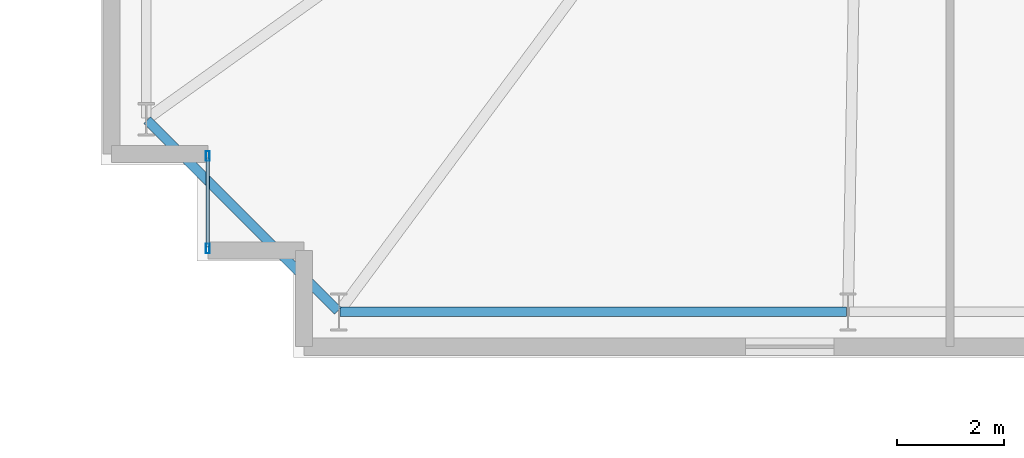
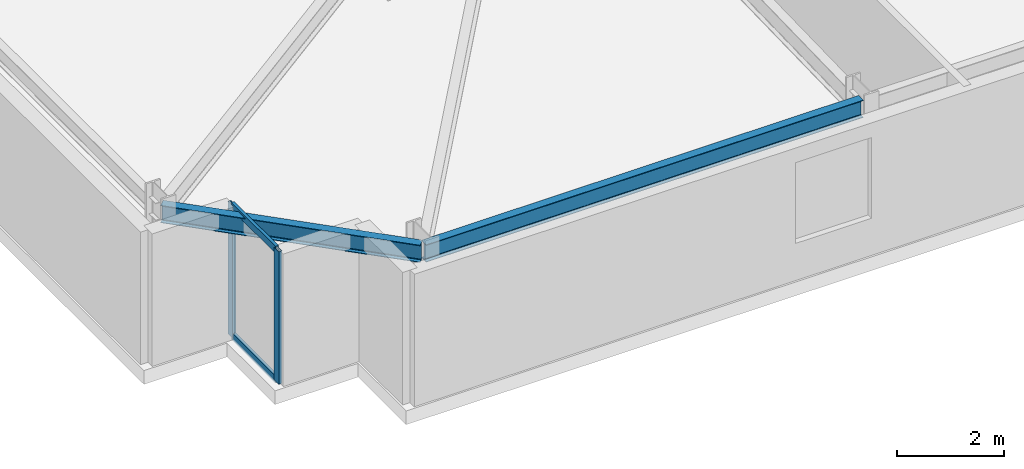
# One storey, part 4 of 21: 4 members, 2 beams, 1 element without a shape of its own.
"""IFC4 building model written with IfcOpenShell, lengths in metres."""

from ifc_helpers import new_model, si_unit, direction, frame, origin, origin_2d, place, context, subcontext, project, spatial, hollow_rectangle, i_section, extrude, material, layer, layer_set, material_profile, profile_set, type_object, element, aggregate, save


model = new_model("IFC4")

# Units and contexts
model_context = context("Model", 3, precision=1e-05, world=origin(), true_north=direction((0.0, 1.0)))
body_context = subcontext(model_context, "Body", "Model", "MODEL_VIEW")
ifc_project = project(units=[si_unit("LENGTHUNIT", "METRE"), si_unit("AREAUNIT", "SQUARE_METRE"), si_unit("VOLUMEUNIT", "CUBIC_METRE"), si_unit("PLANEANGLEUNIT", "RADIAN"), si_unit("MASSUNIT", "GRAM", prefix="KILO")], contexts=[model_context])

# Site, building, storey
site_placement = place(None, origin())
site = spatial("IfcSite", under=ifc_project, at=site_placement, CompositionType="ELEMENT")
building_placement = place(site_placement, origin())
building = spatial("IfcBuilding", under=site, at=building_placement, Name="Qobustan Lattice House", CompositionType="ELEMENT")
storey_placement = place(building_placement, frame((0.0, 0.0, 57.14990234375)))
storey = spatial("IfcBuildingStorey", under=building, at=storey_placement, Name="L15", CompositionType="ELEMENT", Elevation=57.14990234375)

# Beams
ifc_material_1 = material(Name="Steel S355", Category="steel")
ifc_material_profile_1 = material_profile(ifc_material_1, i_section(OverallWidth=0.179931640625, OverallDepth=0.39990234375, WebThickness=0.008544921875, FlangeThickness=0.013427734375, FilletRadius=0.02099609375, at=origin_2d()), Name="IPE400")
ifc_profile_set_1 = profile_set([ifc_material_profile_1], Name="Steel S355")
beam_type = type_object("IfcBeamType", Name="BM-SPD-IPE400", PredefinedType="SPANDREL", material=ifc_profile_set_1)
beam_1_placement = place(storey_placement, frame((-28.52490234375, -18.75, 2.835205078125), z_axis=(1.0, 0.0, 0.0), x_axis=(0.0, 1.0, 0.0)))
element("IfcBeam", 1, at=beam_1_placement, inside=storey, type_object=beam_type, Name="L15 perimeter spandrel S1-S2", PredefinedType="SPANDREL", context=body_context, shape_type="SweptSolid", body=[
    extrude(i_section(OverallWidth=0.179931640625, OverallDepth=0.39990234375, WebThickness=0.008544921875, FlangeThickness=0.013427734375, FilletRadius=0.02099609375, at=origin_2d()), origin(), (0.0, 0.0, 1.0), 9.466552734375),
])
beam_2_placement = place(storey_placement, frame((-32.13232421875, -15.167724609375, 2.835205078125), z_axis=(0.707106781187, -0.707106781187, 0.0), x_axis=(0.707106781187, 0.707106781187, 0.0)))
element("IfcBeam", 2, at=beam_2_placement, inside=storey, type_object=beam_type, Name="L15 perimeter spandrel W4-S1", PredefinedType="SPANDREL", context=body_context, shape_type="SweptSolid", body=[
    extrude(i_section(OverallWidth=0.179931640625, OverallDepth=0.39990234375, WebThickness=0.008544921875, FlangeThickness=0.013427734375, FilletRadius=0.02099609375, at=origin_2d()), origin(), (0.0, 0.0, 1.0), 5.041259765625),
])

# Curtain wall, members
ifc_material_2 = material(Name="Anodised aluminium and low-E glazing", Category="aluminium")
ifc_layer = layer(ifc_material_2, 0.219970703125)
ifc_layer_set = layer_set([ifc_layer], Name="Anodised aluminium and low-E glazing")
curtain_wall_type = type_object("IfcCurtainWallType", Name="CW-FAC-01", PredefinedType="USERDEFINED", material=ifc_layer_set)
curtain_wall_placement = place(storey_placement, origin())
curtain_wall = element("IfcCurtainWall", 3, at=curtain_wall_placement, inside=storey, type_object=curtain_wall_type, Name="L15 serrated corner faceted glazing 3", ObjectType="CURTAIN WALL", PredefinedType="USERDEFINED")
ifc_material_3 = material(Name="Anodised aluminium EN AW-6063 T6", Category="aluminium")
ifc_material_profile_2 = material_profile(ifc_material_3, hollow_rectangle(XDim=0.070068359375, YDim=0.179931640625, WallThickness=0.00439453125, at=origin_2d()), Name="CWM-180x70")
ifc_profile_set_2 = profile_set([ifc_material_profile_2], Name="Anodised aluminium EN AW-6063 T6")
member_type_1 = type_object("IfcMemberType", Name="CWM-STD-180", PredefinedType="MULLION", material=ifc_profile_set_2)
member_1_placement = place(storey_placement, frame((-31.0, -17.56494140625, 0.0), z_axis=(0.0, 0.0, 1.0), x_axis=(-1.0, 0.0, 0.0)))
member_1 = element("IfcMember", 4, at=member_1_placement, type_object=member_type_1, Name="CW-F1 mullion 1", PredefinedType="MULLION", context=body_context, shape_type="SweptSolid", body=[
    extrude(hollow_rectangle(XDim=0.070068359375, YDim=0.179931640625, WallThickness=0.00439453125, at=origin_2d()), origin(), (0.0, 0.0, 1.0), 3.03515625),
])
member_2_placement = place(storey_placement, frame((-31.0, -15.8349609375, 0.0), z_axis=(0.0, 0.0, 1.0), x_axis=(-1.0, 0.0, 0.0)))
member_2 = element("IfcMember", 5, at=member_2_placement, type_object=member_type_1, Name="CW-F1 mullion 2", PredefinedType="MULLION", context=body_context, shape_type="SweptSolid", body=[
    extrude(hollow_rectangle(XDim=0.070068359375, YDim=0.179931640625, WallThickness=0.00439453125, at=origin_2d()), origin(), (0.0, 0.0, 1.0), 3.03515625),
])
ifc_material_4 = material(Name="Anodised aluminium EN AW-6063 T6", Category="aluminium")
ifc_material_profile_3 = material_profile(ifc_material_4, hollow_rectangle(XDim=0.06494140625, YDim=0.159912109375, WallThickness=0.00390625, at=origin_2d()), Name="CWT-160x65")
ifc_profile_set_3 = profile_set([ifc_material_profile_3], Name="Anodised aluminium EN AW-6063 T6")
member_type_2 = type_object("IfcMemberType", Name="CWT-HOR-160", PredefinedType="USERDEFINED", material=ifc_profile_set_3)
member_3_placement = place(storey_placement, frame((-31.0, -17.530029296875, 0.03271484375), z_axis=(0.0, 1.0, 0.0), x_axis=(-1.0, 0.0, 0.0)))
member_3 = element("IfcMember", 6, at=member_3_placement, type_object=member_type_2, Name="CW-F1 transom 1.1", ObjectType="TRANSOM", PredefinedType="USERDEFINED", context=body_context, shape_type="SweptSolid", body=[
    extrude(hollow_rectangle(XDim=0.06494140625, YDim=0.159912109375, WallThickness=0.00390625, at=origin_2d()), origin(), (0.0, 0.0, 1.0), 1.659912109375),
])
member_4_placement = place(storey_placement, frame((-31.0, -17.530029296875, 3.002685546875), z_axis=(0.0, 1.0, 0.0), x_axis=(-1.0, 0.0, 0.0)))
member_4 = element("IfcMember", 7, at=member_4_placement, type_object=member_type_2, Name="CW-F1 transom 1.2", ObjectType="TRANSOM", PredefinedType="USERDEFINED", context=body_context, shape_type="SweptSolid", body=[
    extrude(hollow_rectangle(XDim=0.06494140625, YDim=0.159912109375, WallThickness=0.00390625, at=origin_2d()), origin(), (0.0, 0.0, 1.0), 1.659912109375),
])
aggregate(curtain_wall, [member_1, member_2, member_3, member_4])

save(model, "model.ifc")
